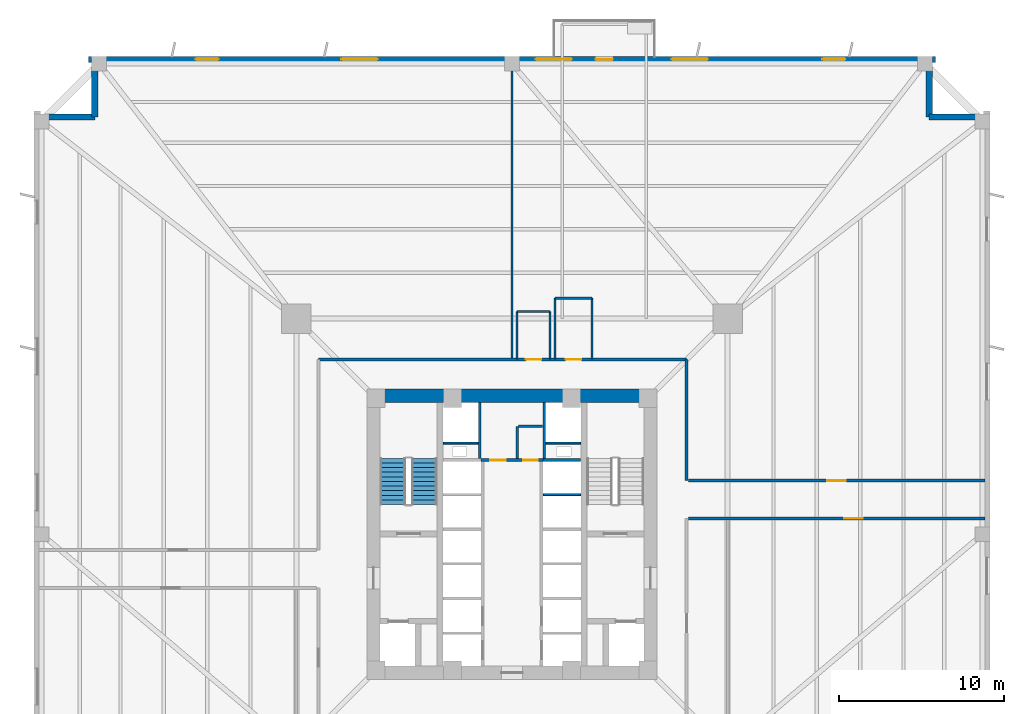
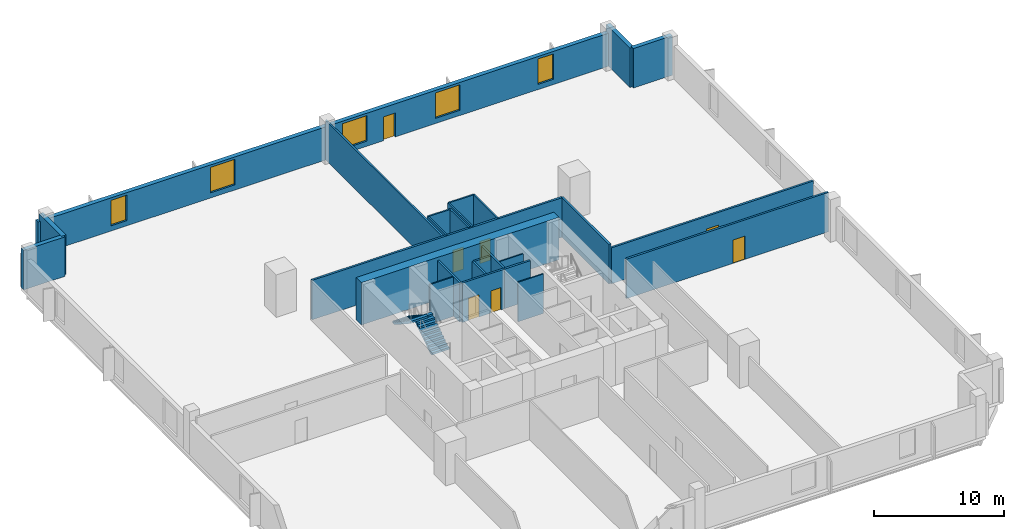
# One storey, part 4 of 8: 26 walls, 7 doors, 5 windows, 2 stair flights, 12 openings, 1 element without a shape of its own.
"""IFC4 building model written with IfcOpenShell, lengths in metres."""

from ifc_helpers import new_model, si_unit, direction, frame, frame_2d, origin, place, context, subcontext, project, spatial, polyline, rectangle, outline, extrude, source, transform, mapped, material, layer, layer_set, type_object, element, fill, aggregate, save


model = new_model("IFC4")

# Units and contexts
model_context = context("Model", 3, precision=1e-05, world=origin(), true_north=direction((0.0, 1.0)))
body_context = subcontext(model_context, "Body", "Model", "MODEL_VIEW")
ifc_project = project(units=[si_unit("LENGTHUNIT", "METRE"), si_unit("AREAUNIT", "SQUARE_METRE"), si_unit("VOLUMEUNIT", "CUBIC_METRE"), si_unit("PLANEANGLEUNIT", "RADIAN"), si_unit("MASSUNIT", "GRAM", prefix="KILO"), si_unit("THERMODYNAMICTEMPERATUREUNIT", "KELVIN")], contexts=[model_context])

# Site, building, storey
site_placement = place(None, origin())
site = spatial("IfcSite", under=ifc_project, at=site_placement, CompositionType="ELEMENT")
building_placement = place(site_placement, origin())
building = spatial("IfcBuilding", under=site, at=building_placement, Name="Kosmvard Interchange Tower", CompositionType="ELEMENT")
storey_placement = place(building_placement, frame((0.0, 0.0, 54.0)))
storey = spatial("IfcBuildingStorey", under=building, at=storey_placement, Name="L12", CompositionType="ELEMENT", Elevation=54.0)

# Walls
ifc_material_1 = material(Name="Acoustic gypsum partition system")
ifc_layer_1 = layer(ifc_material_1, 0.14990234375, Name="Acoustic gypsum partition system")
ifc_layer_set_1 = layer_set([ifc_layer_1], Name="Acoustic gypsum partition system")
wall_type_1 = type_object("IfcWallType", Name="Acoustic Suite & Meeting Partition 150", PredefinedType="PARTITIONING", material=ifc_layer_set_1)
wall_1_placement = place(storey_placement, frame((0.0, 10.695068359375, 0.0), z_axis=(0.0, 0.0, 1.0), x_axis=(0.0, 1.0, 0.0)))
element("IfcWall", 1, at=wall_1_placement, inside=storey, type_object=wall_type_1, Name="L12 Room Partition 01.1", PredefinedType="PARTITIONING", context=body_context, shape_type="SweptSolid", body=[
    extrude(rectangle(XDim=17.989990234375, YDim=0.14990234375, at=frame_2d((8.9951171875, 0.0))), origin(), (0.0, 0.0, 1.0), 3.719970703125),
])
ifc_material_2 = material(Name="Fire-rated gypsum partition system")
ifc_layer_2 = layer(ifc_material_2, 0.159912109375, Name="Fire-rated gypsum partition system")
ifc_layer_set_2 = layer_set([ifc_layer_2], Name="Fire-rated gypsum partition system")
wall_type_2 = type_object("IfcWallType", Name="Core Compartment & Shuttle Lobby Partition 160", PredefinedType="PARTITIONING", material=ifc_layer_set_2)
for number, where, z_axis, x_axis, name in (
    (2, (-1.9599609375, 4.580078125, 0.0), (0.0, 0.0, 1.0), (0.0, 1.0, 0.0), "L12 North Core West Wall"),
    (3, (1.9599609375, 4.580078125, 0.0), (0.0, 0.0, 1.0), (0.0, 1.0, 0.0), "L12 North Core East Wall"),
):
    element("IfcWall", number, at=place(storey_placement, frame(where, z_axis=z_axis, x_axis=x_axis)), inside=storey, type_object=wall_type_2, Name=name, PredefinedType="PARTITIONING", context=body_context, shape_type="SweptSolid", body=[
        extrude(rectangle(XDim=3.39990234375, YDim=0.159912109375, at=frame_2d((1.699951171875, 0.0))), origin(), (0.0, 0.0, 1.0), 3.719970703125),
    ])
ifc_material_3 = material(Name="Concrete blockwork masonry", Category="masonry")
ifc_layer_3 = layer(ifc_material_3, 0.159912109375, Name="Concrete blockwork masonry")
ifc_layer_set_3 = layer_set([ifc_layer_3], Name="Concrete blockwork masonry")
wall_type_3 = type_object("IfcWallType", Name="Core Enclosure Split Wall 160", PredefinedType="PARTITIONING", material=ifc_layer_set_3)
wall_2_placement = place(storey_placement, frame((0.320068359375, 4.60009765625, 0.0), z_axis=(0.0, 0.0, 1.0), x_axis=(0.0, 1.0, 0.0)))
element("IfcWall", 4, at=wall_2_placement, inside=storey, type_object=wall_type_3, Name="L12 Core K3 L-Wall 1", PredefinedType="PARTITIONING", context=body_context, shape_type="SweptSolid", body=[
    extrude(rectangle(XDim=1.949951171875, YDim=0.159912109375, at=frame_2d((0.97509765625, 0.0))), origin(), (0.0, 0.0, 1.0), 3.719970703125),
])
wall_3_placement = place(storey_placement, frame((0.39990234375, 6.550048828125, 0.0), z_axis=(0.0, 0.0, 1.0), x_axis=(1.0, 0.0, 0.0)))
element("IfcWall", 5, at=wall_3_placement, inside=storey, type_object=wall_type_3, Name="L12 Core K3 L-Wall 2", PredefinedType="PARTITIONING", context=body_context, shape_type="SweptSolid", body=[
    extrude(rectangle(XDim=1.460205078125, YDim=0.159912109375, at=frame_2d((0.72998046875, 0.0))), origin(), (0.0, 0.0, 1.0), 3.719970703125),
])

# Wall, openings, doors
ifc_layer_4 = layer(ifc_material_2, 0.179931640625, Name="Fire-rated gypsum partition system")
ifc_layer_set_4 = layer_set([ifc_layer_4], Name="Fire-rated gypsum partition system")
wall_type_4 = type_object("IfcWallType", Name="Corridor & Hotel Compartment Partition 180", PredefinedType="PARTITIONING", material=ifc_layer_set_4)
wall_4_placement = place(storey_placement, frame((-1.8798828125, 4.489990234375, 0.0), z_axis=(0.0, 0.0, 1.0), x_axis=(1.0, 0.0, 0.0)))
wall_4 = element("IfcWall", 6, at=wall_4_placement, inside=storey, type_object=wall_type_4, Name="L12 Lift Lobby North Partition", PredefinedType="PARTITIONING", context=body_context, shape_type="SweptSolid", body=[
    extrude(rectangle(XDim=3.759765625, YDim=0.179931640625, at=frame_2d((1.8798828125, 0.0))), origin(), (0.0, 0.0, 1.0), 3.719970703125),
])
opening_1_placement = place(wall_4_placement, frame((0.550048828125, 0.0, 0.0)))
opening_1 = element("IfcOpeningElement", 7, at=opening_1_placement, cuts=wall_4, Name="Opening L12-KD1", PredefinedType="OPENING", context=body_context, shape_type="SweptSolid", body=[
    extrude(rectangle(XDim=0.949951171875, YDim=2.10009765625, at=frame_2d((0.47509765625, 1.050048828125))), frame((0.0, 0.10009765625, 0.0), z_axis=(0.0, -1.0, 0.0), x_axis=(1.0, 0.0, 0.0)), (0.0, 0.0, 1.0), 0.199951171875),
])
opening_2_placement = place(wall_4_placement, frame((2.56005859375, 0.0, 0.0)))
opening_2 = element("IfcOpeningElement", 8, at=opening_2_placement, cuts=wall_4, Name="Opening L12-KD2", PredefinedType="OPENING", context=body_context, shape_type="SweptSolid", body=[
    extrude(rectangle(XDim=0.8798828125, YDim=2.10009765625, at=frame_2d((0.43994140625, 1.050048828125))), frame((0.0, 0.10009765625, 0.0), z_axis=(0.0, -1.0, 0.0), x_axis=(1.0, 0.0, 0.0)), (0.0, 0.0, 1.0), 0.199951171875),
])
ifc_material_4 = material(Name="Painted fire-rated timber leaf", Category="wood")
door_type_1 = type_object("IfcDoorType", Name="Core Service Fire Door 950x2100 EI30", OperationType="NOTDEFINED", PredefinedType="DOOR", material=ifc_material_4)
shared_shape_1 = source(origin(), body_context, "Body", "SweptSolid", [
    extrude(rectangle(XDim=0.949951171875, YDim=2.10009765625, at=frame_2d((0.47509765625, 1.050048828125))), frame((0.0, 0.02490234375, 0.0), z_axis=(0.0, -1.0, 0.0), x_axis=(1.0, 0.0, 0.0)), (0.0, 0.0, 1.0), 0.050048828125),
])
door_1_placement = place(opening_1_placement, origin())
door_1 = element("IfcDoor", 9, at=door_1_placement, inside=storey, type_object=door_type_1, Name="L12 Core Archive Store Door", OperationType="SINGLE_SWING_LEFT", OverallHeight=2.10009765625, OverallWidth=0.949951171875, PredefinedType="DOOR", context=body_context, shape_type="MappedRepresentation", body=[
    mapped(shared_shape_1, transform((0.0, 0.0, 0.0), scale=1.0)),
])
fill(opening_1, door_1)
door_type_2 = type_object("IfcDoorType", Name="Core Cupboard Fire Door 880x2100 EI30", OperationType="NOTDEFINED", PredefinedType="DOOR", material=ifc_material_4)
shared_shape_2 = source(origin(), body_context, "Body", "SweptSolid", [
    extrude(rectangle(XDim=0.8798828125, YDim=2.10009765625, at=frame_2d((0.43994140625, 1.050048828125))), frame((0.0, 0.02490234375, 0.0), z_axis=(0.0, -1.0, 0.0), x_axis=(1.0, 0.0, 0.0)), (0.0, 0.0, 1.0), 0.050048828125),
])
door_2_placement = place(opening_2_placement, origin())
door_2 = element("IfcDoor", 10, at=door_2_placement, inside=storey, type_object=door_type_2, Name="L12 Core Supplies Cupboard Door", OperationType="SINGLE_SWING_RIGHT", OverallHeight=2.10009765625, OverallWidth=0.8798828125, PredefinedType="DOOR", context=body_context, shape_type="MappedRepresentation", body=[
    mapped(shared_shape_2, transform((0.0, 0.0, 0.0), scale=1.0)),
])
fill(opening_2, door_2)

wall_5_placement = place(storey_placement, frame((-11.75, 10.60009765625, 0.0), z_axis=(0.0, 0.0, 1.0), x_axis=(1.0, 0.0, 0.0)))
wall_5 = element("IfcWall", 11, at=wall_5_placement, inside=storey, type_object=wall_type_4, Name="L12 Corridor Wall CN", PredefinedType="PARTITIONING", context=body_context, shape_type="SweptSolid", body=[
    extrude(rectangle(XDim=22.35009765625, YDim=0.179931640625, at=frame_2d((11.175048828125, 0.0))), origin(), (0.0, 0.0, 1.0), 3.719970703125),
])
opening_3_placement = place(wall_5_placement, frame((12.586181640625, 0.0, 0.0)))
opening_3 = element("IfcOpeningElement", 12, at=opening_3_placement, cuts=wall_5, Name="Opening L12-D01", PredefinedType="OPENING", context=body_context, shape_type="SweptSolid", body=[
    extrude(rectangle(XDim=0.949951171875, YDim=2.10009765625, at=frame_2d((0.47509765625, 1.050048828125))), frame((0.0, 0.10009765625, 0.0), z_axis=(0.0, -1.0, 0.0), x_axis=(1.0, 0.0, 0.0)), (0.0, 0.0, 1.0), 0.199951171875),
])
opening_4_placement = place(wall_5_placement, frame((15.01025390625, 0.0, 0.0)))
opening_4 = element("IfcOpeningElement", 13, at=opening_4_placement, cuts=wall_5, Name="Opening L12-D02", PredefinedType="OPENING", context=body_context, shape_type="SweptSolid", body=[
    extrude(rectangle(XDim=0.949951171875, YDim=2.10009765625, at=frame_2d((0.47509765625, 1.050048828125))), frame((0.0, 0.10009765625, 0.0), z_axis=(0.0, -1.0, 0.0), x_axis=(1.0, 0.0, 0.0)), (0.0, 0.0, 1.0), 0.199951171875),
])
ifc_material_5 = material(Name="Laminated moisture-resistant timber", Category="wood")
door_type_3 = type_object("IfcDoorType", Name="Accessible Washroom Door 950x2100", OperationType="NOTDEFINED", PredefinedType="DOOR", material=ifc_material_5)
door_3_placement = place(opening_3_placement, origin())
door_3 = element("IfcDoor", 14, at=door_3_placement, inside=storey, type_object=door_type_3, Name="L12 Accessible Toilet Door", OperationType="SINGLE_SWING_LEFT", OverallHeight=2.10009765625, OverallWidth=0.949951171875, PredefinedType="DOOR", context=body_context, shape_type="MappedRepresentation", body=[
    mapped(shared_shape_1, transform((0.0, 0.0, 0.0), scale=1.0)),
])
fill(opening_3, door_3)
door_4_placement = place(opening_4_placement, origin())
door_4 = element("IfcDoor", 15, at=door_4_placement, inside=storey, type_object=door_type_3, Name="L12 Public Floor Washroom Door", OperationType="SINGLE_SWING_RIGHT", OverallHeight=2.10009765625, OverallWidth=0.949951171875, PredefinedType="DOOR", context=body_context, shape_type="MappedRepresentation", body=[
    mapped(shared_shape_1, transform((0.0, 0.0, 0.0), scale=1.0)),
])
fill(opening_4, door_4)

# Wall
wall_6_placement = place(storey_placement, frame((10.60009765625, 3.25, 0.0), z_axis=(0.0, 0.0, 1.0), x_axis=(0.0, 1.0, 0.0)))
element("IfcWall", 16, at=wall_6_placement, inside=storey, type_object=wall_type_4, Name="L12 Corridor Wall CEN", PredefinedType="PARTITIONING", context=body_context, shape_type="SweptSolid", body=[
    extrude(rectangle(XDim=7.35009765625, YDim=0.179931640625, at=frame_2d((3.675048828125, 0.0))), origin(), (0.0, 0.0, 1.0), 3.719970703125),
])

# Wall, opening, door
wall_7_placement = place(storey_placement, frame((10.699951171875, 0.949951171875, 0.0), z_axis=(0.0, 0.0, 1.0), x_axis=(1.0, 0.0, 0.0)))
wall_7 = element("IfcWall", 17, at=wall_7_placement, inside=storey, type_object=wall_type_4, Name="L12 Corridor Wall SES", PredefinedType="PARTITIONING", context=body_context, shape_type="SweptSolid", body=[
    extrude(rectangle(XDim=17.985107421875, YDim=0.179931640625, at=frame_2d((8.99267578125, 0.0))), origin(), (0.0, 0.0, 1.0), 3.719970703125),
])
opening_5_placement = place(wall_7_placement, frame((9.468505859375, 0.0, 0.0)))
opening_5 = element("IfcOpeningElement", 18, at=opening_5_placement, cuts=wall_7, Name="Opening L12-D07", PredefinedType="OPENING", context=body_context, shape_type="SweptSolid", body=[
    extrude(rectangle(XDim=1.10009765625, YDim=2.199951171875, at=frame_2d((0.550048828125, 1.10009765625))), frame((0.0, 0.10009765625, 0.0), z_axis=(0.0, -1.0, 0.0), x_axis=(1.0, 0.0, 0.0)), (0.0, 0.0, 1.0), 0.199951171875),
])
ifc_material_6 = material(Name="Engineered oak fire-rated timber", Category="wood")
door_type_4 = type_object("IfcDoorType", Name="Office Suite Entrance Door 1100x2200 FD30S", OperationType="NOTDEFINED", PredefinedType="DOOR", material=ifc_material_6)
shared_shape_3 = source(origin(), body_context, "Body", "SweptSolid", [
    extrude(rectangle(XDim=1.10009765625, YDim=2.199951171875, at=frame_2d((0.550048828125, 1.10009765625))), frame((0.0, 0.02490234375, 0.0), z_axis=(0.0, -1.0, 0.0), x_axis=(1.0, 0.0, 0.0)), (0.0, 0.0, 1.0), 0.050048828125),
])
door_5_placement = place(opening_5_placement, frame((1.10009765625, 0.0, 0.0), z_axis=(0.0, 0.0, 1.0), x_axis=(-1.0, 0.0, 0.0)))
door_5 = element("IfcDoor", 19, at=door_5_placement, inside=storey, type_object=door_type_4, Name="L12 East Open Engineering Studio Door", OperationType="SINGLE_SWING_LEFT", OverallHeight=2.199951171875, OverallWidth=1.10009765625, PredefinedType="DOOR", context=body_context, shape_type="MappedRepresentation", body=[
    mapped(shared_shape_3, transform((0.0, 0.0, 0.0), scale=1.0)),
])
fill(opening_5, door_5)

wall_8_placement = place(storey_placement, frame((10.699951171875, 3.25, 0.0), z_axis=(0.0, 0.0, 1.0), x_axis=(1.0, 0.0, 0.0)))
wall_8 = element("IfcWall", 20, at=wall_8_placement, inside=storey, type_object=wall_type_4, Name="L12 Corridor Wall SEN", PredefinedType="PARTITIONING", context=body_context, shape_type="SweptSolid", body=[
    extrude(rectangle(XDim=17.985107421875, YDim=0.179931640625, at=frame_2d((8.99267578125, 0.0))), origin(), (0.0, 0.0, 1.0), 3.389892578125),
])
opening_6_placement = place(wall_8_placement, frame((8.4423828125, 0.0, 0.0)))
opening_6 = element("IfcOpeningElement", 21, at=opening_6_placement, cuts=wall_8, Name="Opening L12-D04", PredefinedType="OPENING", context=body_context, shape_type="SweptSolid", body=[
    extrude(rectangle(XDim=1.10009765625, YDim=2.199951171875, at=frame_2d((0.550048828125, 1.10009765625))), frame((0.0, 0.10009765625, 0.0), z_axis=(0.0, -1.0, 0.0), x_axis=(1.0, 0.0, 0.0)), (0.0, 0.0, 1.0), 0.199951171875),
])
door_6_placement = place(opening_6_placement, origin())
door_6 = element("IfcDoor", 22, at=door_6_placement, inside=storey, type_object=door_type_4, Name="L12 Transit Briefing Auditorium Door", OperationType="SINGLE_SWING_RIGHT", OverallHeight=2.199951171875, OverallWidth=1.10009765625, PredefinedType="DOOR", context=body_context, shape_type="MappedRepresentation", body=[
    mapped(shared_shape_3, transform((0.0, 0.0, 0.0), scale=1.0)),
])
fill(opening_6, door_6)

# Walls
ifc_material_7 = material(Name="Concrete C80/95", Category="concrete")
ifc_layer_5 = layer(ifc_material_7, 0.800048828125, Name="Concrete C80/95")
ifc_layer_set_5 = layer_set([ifc_layer_5], Name="Concrete C80/95")
wall_type_5 = type_object("IfcWallType", Name="Lower Core Shear Wall 800 C80/95", PredefinedType="SHEAR", material=ifc_layer_set_5)
wall_9_placement = place(storey_placement, frame((-8.800048828125, 8.39990234375, 0.0), z_axis=(0.0, 0.0, 1.0), x_axis=(1.0, 0.0, 0.0)))
element("IfcWall", 23, at=wall_9_placement, inside=storey, type_object=wall_type_5, Name="L12 Core Shear Wall CW-N", PredefinedType="SHEAR", context=body_context, shape_type="SweptSolid", body=[
    extrude(rectangle(XDim=17.60009765625, YDim=0.800048828125, at=frame_2d((8.800048828125, 0.0))), origin(), (0.0, 0.0, 1.0), 4.0),
])
ifc_material_8 = material(Name="Precast concrete C45/55", Category="concrete")
ifc_layer_6 = layer(ifc_material_8, 0.3798828125, Name="Precast concrete C45/55")
ifc_layer_set_6 = layer_set([ifc_layer_6], Name="Precast concrete C45/55")
wall_type_6 = type_object("IfcWallType", Name="Lower Tower Precast Pier Wall 380 C45/55", PredefinedType="STANDARD", material=ifc_layer_set_6)
wall_10_placement = place(storey_placement, frame((28.81005859375, 25.31005859375, 0.0), z_axis=(0.0, 0.0, 1.0), x_axis=(-1.0, 0.0, 0.0)))
element("IfcWall", 24, at=wall_10_placement, inside=storey, type_object=wall_type_6, Name="L12 Precast Facade Wall N-NE1", PredefinedType="STANDARD", context=body_context, shape_type="SweptSolid", body=[
    extrude(rectangle(XDim=3.5, YDim=0.3798828125, at=frame_2d((1.75, 0.0))), origin(), (0.0, 0.0, 1.0), 3.719970703125),
])
wall_11_placement = place(storey_placement, frame((25.31005859375, 25.31005859375, 0.0), z_axis=(0.0, 0.0, 1.0), x_axis=(0.0, 1.0, 0.0)))
element("IfcWall", 25, at=wall_11_placement, inside=storey, type_object=wall_type_6, Name="L12 Precast Facade Wall N-NE2", PredefinedType="STANDARD", context=body_context, shape_type="SweptSolid", body=[
    extrude(rectangle(XDim=3.68994140625, YDim=0.3798828125, at=frame_2d((1.844970703125, 0.0))), origin(), (0.0, 0.0, 1.0), 3.719970703125),
])

# Wall, openings, door, windows
wall_12_placement = place(storey_placement, frame((25.68994140625, 28.81005859375, 0.0), z_axis=(0.0, 0.0, 1.0), x_axis=(-1.0, 0.0, 0.0)))
wall_12 = element("IfcWall", 26, at=wall_12_placement, inside=storey, type_object=wall_type_6, Name="L12 Precast Facade Wall F-N", PredefinedType="STANDARD", context=body_context, shape_type="SweptSolid", body=[
    extrude(rectangle(XDim=51.3798828125, YDim=0.3798828125, at=frame_2d((25.68994140625, 0.0))), origin(), (0.0, 0.0, 1.0), 3.1201171875),
])
opening_7_placement = place(wall_12_placement, frame((19.56494140625, 0.0, 0.0)))
opening_7 = element("IfcOpeningElement", 27, at=opening_7_placement, cuts=wall_12, Name="Opening L12-BDN", PredefinedType="OPENING", context=body_context, shape_type="SweptSolid", body=[
    extrude(rectangle(XDim=1.050048828125, YDim=2.25, at=frame_2d((0.52490234375, 1.125))), frame((0.0, 0.199951171875, 0.0), z_axis=(0.0, -1.0, 0.0), x_axis=(1.0, 0.0, 0.0)), (0.0, 0.0, 1.0), 0.39990234375),
])
opening_8_placement = place(wall_12_placement, frame((5.465576171875, 0.0, 0.489990234375)))
opening_8 = element("IfcOpeningElement", 28, at=opening_8_placement, cuts=wall_12, Name="Opening L12-W11", PredefinedType="OPENING", context=body_context, shape_type="SweptSolid", body=[
    extrude(rectangle(XDim=1.39990234375, YDim=2.39990234375, at=frame_2d((0.699951171875, 1.199951171875))), frame((0.0, 0.199951171875, 0.0), z_axis=(0.0, -1.0, 0.0), x_axis=(1.0, 0.0, 0.0)), (0.0, 0.0, 1.0), 0.39990234375),
])
opening_9_placement = place(wall_12_placement, frame((13.80029296875, 0.0, 0.489990234375)))
opening_9 = element("IfcOpeningElement", 29, at=opening_9_placement, cuts=wall_12, Name="Opening L12-W12", PredefinedType="OPENING", context=body_context, shape_type="SweptSolid", body=[
    extrude(rectangle(XDim=2.199951171875, YDim=2.39990234375, at=frame_2d((1.10009765625, 1.199951171875))), frame((0.0, 0.199951171875, 0.0), z_axis=(0.0, -1.0, 0.0), x_axis=(1.0, 0.0, 0.0)), (0.0, 0.0, 1.0), 0.39990234375),
])
opening_10_placement = place(wall_12_placement, frame((22.0625, 0.0, 0.489990234375)))
opening_10 = element("IfcOpeningElement", 30, at=opening_10_placement, cuts=wall_12, Name="Opening L12-W13", PredefinedType="OPENING", context=body_context, shape_type="SweptSolid", body=[
    extrude(rectangle(XDim=2.199951171875, YDim=2.39990234375, at=frame_2d((1.10009765625, 1.199951171875))), frame((0.0, 0.199951171875, 0.0), z_axis=(0.0, -1.0, 0.0), x_axis=(1.0, 0.0, 0.0)), (0.0, 0.0, 1.0), 0.39990234375),
])
opening_11_placement = place(wall_12_placement, frame((33.83837890625, 0.0, 0.489990234375)))
opening_11 = element("IfcOpeningElement", 31, at=opening_11_placement, cuts=wall_12, Name="Opening L12-W14", PredefinedType="OPENING", context=body_context, shape_type="SweptSolid", body=[
    extrude(rectangle(XDim=2.199951171875, YDim=2.39990234375, at=frame_2d((1.10009765625, 1.199951171875))), frame((0.0, 0.199951171875, 0.0), z_axis=(0.0, -1.0, 0.0), x_axis=(1.0, 0.0, 0.0)), (0.0, 0.0, 1.0), 0.39990234375),
])
opening_12_placement = place(wall_12_placement, frame((43.48681640625, 0.0, 0.489990234375)))
opening_12 = element("IfcOpeningElement", 32, at=opening_12_placement, cuts=wall_12, Name="Opening L12-W15", PredefinedType="OPENING", context=body_context, shape_type="SweptSolid", body=[
    extrude(rectangle(XDim=1.39990234375, YDim=2.39990234375, at=frame_2d((0.699951171875, 1.199951171875))), frame((0.0, 0.199951171875, 0.0), z_axis=(0.0, -1.0, 0.0), x_axis=(1.0, 0.0, 0.0)), (0.0, 0.0, 1.0), 0.39990234375),
])
ifc_material_9 = material(Name="Anodised aluminium and safety glass", Category="aluminium")
door_type_5 = type_object("IfcDoorType", Name="Tree-Balcony Glazed Door 1050x2250", OperationType="NOTDEFINED", PredefinedType="DOOR", material=ifc_material_9)
shared_shape_4 = source(origin(), body_context, "Body", "SweptSolid", [
    extrude(rectangle(XDim=1.050048828125, YDim=2.25, at=frame_2d((0.52490234375, 1.125))), frame((0.0, 0.02490234375, 0.0), z_axis=(0.0, -1.0, 0.0), x_axis=(1.0, 0.0, 0.0)), (0.0, 0.0, 1.0), 0.050048828125),
])
door_7_placement = place(opening_7_placement, origin())
door_7 = element("IfcDoor", 33, at=door_7_placement, inside=storey, type_object=door_type_5, Name="L12 Tree-Balcony Door BAL-L12-N", OperationType="SINGLE_SWING_LEFT", OverallHeight=2.25, OverallWidth=1.050048828125, PredefinedType="DOOR", context=body_context, shape_type="MappedRepresentation", body=[
    mapped(shared_shape_4, transform((0.0, 0.0, 0.0), scale=1.0)),
])
fill(opening_7, door_7)
ifc_material_10 = material(Name="Low-E solar-control double glazing", Category="glass")
window_type_1 = type_object("IfcWindowType", Name="Notched Corner Feature Window 1400x2400", PartitioningType="SINGLE_PANEL", PredefinedType="WINDOW", material=ifc_material_10)
shared_shape_5 = source(origin(), body_context, "Body", "SweptSolid", [
    extrude(rectangle(XDim=1.39990234375, YDim=2.39990234375, at=frame_2d((0.699951171875, 1.199951171875))), frame((0.0, 0.030029296875, 0.0), z_axis=(0.0, -1.0, 0.0), x_axis=(1.0, 0.0, 0.0)), (0.0, 0.0, 1.0), 0.06005859375),
])
window_1_placement = place(opening_8_placement, origin())
window_1 = element("IfcWindow", 34, at=window_1_placement, inside=storey, type_object=window_type_1, Name="L12 Facade Punched Window 11", OverallHeight=2.39990234375, OverallWidth=1.39990234375, PartitioningType="SINGLE_PANEL", PredefinedType="WINDOW", context=body_context, shape_type="MappedRepresentation", body=[
    mapped(shared_shape_5, transform((0.0, 0.0, 0.0), scale=1.0)),
])
fill(opening_8, window_1)
window_2_placement = place(opening_12_placement, origin())
window_2 = element("IfcWindow", 35, at=window_2_placement, inside=storey, type_object=window_type_1, Name="L12 Facade Punched Window 15", OverallHeight=2.39990234375, OverallWidth=1.39990234375, PartitioningType="SINGLE_PANEL", PredefinedType="WINDOW", context=body_context, shape_type="MappedRepresentation", body=[
    mapped(shared_shape_5, transform((0.0, 0.0, 0.0), scale=1.0)),
])
fill(opening_12, window_2)
window_type_2 = type_object("IfcWindowType", Name="Zone 1 Office Punched Window 2200x2400", PartitioningType="SINGLE_PANEL", PredefinedType="WINDOW", material=ifc_material_10)
shared_shape_6 = source(origin(), body_context, "Body", "SweptSolid", [
    extrude(rectangle(XDim=2.199951171875, YDim=2.39990234375, at=frame_2d((1.10009765625, 1.199951171875))), frame((0.0, 0.030029296875, 0.0), z_axis=(0.0, -1.0, 0.0), x_axis=(1.0, 0.0, 0.0)), (0.0, 0.0, 1.0), 0.06005859375),
])
window_3_placement = place(opening_9_placement, origin())
window_3 = element("IfcWindow", 36, at=window_3_placement, inside=storey, type_object=window_type_2, Name="L12 Facade Punched Window 12", OverallHeight=2.39990234375, OverallWidth=2.199951171875, PartitioningType="SINGLE_PANEL", PredefinedType="WINDOW", context=body_context, shape_type="MappedRepresentation", body=[
    mapped(shared_shape_6, transform((0.0, 0.0, 0.0), scale=1.0)),
])
fill(opening_9, window_3)
window_4_placement = place(opening_10_placement, origin())
window_4 = element("IfcWindow", 37, at=window_4_placement, inside=storey, type_object=window_type_2, Name="L12 Facade Punched Window 13", OverallHeight=2.39990234375, OverallWidth=2.199951171875, PartitioningType="SINGLE_PANEL", PredefinedType="WINDOW", context=body_context, shape_type="MappedRepresentation", body=[
    mapped(shared_shape_6, transform((0.0, 0.0, 0.0), scale=1.0)),
])
fill(opening_10, window_4)
window_5_placement = place(opening_11_placement, origin())
window_5 = element("IfcWindow", 38, at=window_5_placement, inside=storey, type_object=window_type_2, Name="L12 Facade Punched Window 14", OverallHeight=2.39990234375, OverallWidth=2.199951171875, PartitioningType="SINGLE_PANEL", PredefinedType="WINDOW", context=body_context, shape_type="MappedRepresentation", body=[
    mapped(shared_shape_6, transform((0.0, 0.0, 0.0), scale=1.0)),
])
fill(opening_11, window_5)

# Walls
wall_13_placement = place(storey_placement, frame((-25.31005859375, 28.81005859375, 0.0), z_axis=(0.0, 0.0, 1.0), x_axis=(0.0, -1.0, 0.0)))
element("IfcWall", 39, at=wall_13_placement, inside=storey, type_object=wall_type_6, Name="L12 Precast Facade Wall N-NW1", PredefinedType="STANDARD", context=body_context, shape_type="SweptSolid", body=[
    extrude(rectangle(XDim=3.5, YDim=0.3798828125, at=frame_2d((1.75, 0.0))), origin(), (0.0, 0.0, 1.0), 3.719970703125),
])
wall_14_placement = place(storey_placement, frame((-25.31005859375, 25.31005859375, 0.0), z_axis=(0.0, 0.0, 1.0), x_axis=(-1.0, 0.0, 0.0)))
element("IfcWall", 40, at=wall_14_placement, inside=storey, type_object=wall_type_6, Name="L12 Precast Facade Wall N-NW2", PredefinedType="STANDARD", context=body_context, shape_type="SweptSolid", body=[
    extrude(rectangle(XDim=3.68994140625, YDim=0.3798828125, at=frame_2d((1.844970703125, 0.0))), origin(), (0.0, 0.0, 1.0), 3.719970703125),
])
ifc_layer_7 = layer(ifc_material_3, 0.179931640625, Name="Concrete blockwork masonry")
ifc_layer_set_7 = layer_set([ifc_layer_7], Name="Concrete blockwork masonry")
wall_type_7 = type_object("IfcWallType", Name="Riser & Lift Bank Divider Wall 180", PredefinedType="PARTITIONING", material=ifc_layer_set_7)
wall_15_placement = place(storey_placement, frame((1.889892578125, 4.489990234375, 0.0), z_axis=(0.0, 0.0, 1.0), x_axis=(1.0, 0.0, 0.0)))
element("IfcWall", 41, at=wall_15_placement, inside=storey, type_object=wall_type_7, Name="L12 East Bank Divider BD3", PredefinedType="PARTITIONING", context=body_context, shape_type="SweptSolid", body=[
    extrude(rectangle(XDim=2.280029296875, YDim=0.179931640625, at=frame_2d((1.14013671875, 0.0))), origin(), (0.0, 0.0, 1.0), 3.719970703125),
])
ifc_material_11 = material(Name="Fire-rated gypsum shaftwall system")
ifc_layer_8 = layer(ifc_material_11, 0.1201171875, Name="Fire-rated gypsum shaftwall system")
ifc_layer_set_8 = layer_set([ifc_layer_8], Name="Fire-rated gypsum shaftwall system")
wall_type_8 = type_object("IfcWallType", Name="Shaft & Riser Fire Partition 120 EI60", PredefinedType="PARTITIONING", material=ifc_layer_set_8)
wall_16_placement = place(storey_placement, frame((1.89990234375, 2.39990234375, 0.0), z_axis=(0.0, 0.0, 1.0), x_axis=(1.0, 0.0, 0.0)))
element("IfcWall", 42, at=wall_16_placement, inside=storey, type_object=wall_type_8, Name="L12 Shaft Divider PL-H3", PredefinedType="PARTITIONING", context=body_context, shape_type="SweptSolid", body=[
    extrude(rectangle(XDim=2.260009765625, YDim=0.1201171875, at=frame_2d((1.1298828125, 0.0))), origin(), (0.0, 0.0, 1.0), 3.719970703125),
])
for number, where, z_axis, x_axis, name in (
    (43, (-4.159912109375, 5.52001953125, 0.0), (0.0, 0.0, 1.0), (1.0, 0.0, 0.0), "L12 Riser Shaft Divider W"),
    (44, (2.06005859375, 5.52001953125, 0.0), (0.0, 0.0, 1.0), (1.0, 0.0, 0.0), "L12 Riser Shaft Divider E"),
):
    element("IfcWall", number, at=place(storey_placement, frame(where, z_axis=z_axis, x_axis=x_axis)), inside=storey, type_object=wall_type_8, Name=name, PredefinedType="PARTITIONING", context=body_context, shape_type="SweptSolid", body=[
        extrude(rectangle(XDim=2.099853515625, YDim=0.1201171875, at=frame_2d((1.0498046875, 0.0))), origin(), (0.0, 0.0, 1.0), 3.719970703125),
    ])
ifc_material_12 = material(Name="Moisture-resistant gypsum partition")
ifc_layer_9 = layer(ifc_material_12, 0.135009765625, Name="Moisture-resistant gypsum partition")
ifc_layer_set_9 = layer_set([ifc_layer_9], Name="Moisture-resistant gypsum partition")
wall_type_9 = type_object("IfcWallType", Name="Wet Room Moisture-Resistant Partition 135", PredefinedType="PARTITIONING", material=ifc_layer_set_9)
wall_17_placement = place(storey_placement, frame((2.31103515625, 10.6201171875, 0.0), z_axis=(0.0, 0.0, 1.0), x_axis=(0.0, 1.0, 0.0)))
element("IfcWall", 45, at=wall_17_placement, inside=storey, type_object=wall_type_9, Name="L12 Washroom Partition AWC1-E", PredefinedType="PARTITIONING", context=body_context, shape_type="SweptSolid", body=[
    extrude(rectangle(XDim=2.89990234375, YDim=0.135009765625, at=frame_2d((1.449951171875, 0.0))), origin(), (0.0, 0.0, 1.0), 3.719970703125),
])
wall_18_placement = place(storey_placement, frame((0.31103515625, 13.52001953125, 0.0), z_axis=(0.0, 0.0, 1.0), x_axis=(1.0, 0.0, 0.0)))
element("IfcWall", 46, at=wall_18_placement, inside=storey, type_object=wall_type_9, Name="L12 Washroom Partition AWC1-N", PredefinedType="PARTITIONING", context=body_context, shape_type="SweptSolid", body=[
    extrude(rectangle(XDim=2.0, YDim=0.135009765625, at=frame_2d((1.0, 0.0))), origin(), (0.0, 0.0, 1.0), 3.719970703125),
])
wall_19_placement = place(storey_placement, frame((0.31103515625, 10.6201171875, 0.0), z_axis=(0.0, 0.0, 1.0), x_axis=(0.0, 1.0, 0.0)))
element("IfcWall", 47, at=wall_19_placement, inside=storey, type_object=wall_type_9, Name="L12 Washroom Partition AWC1-W", PredefinedType="PARTITIONING", context=body_context, shape_type="SweptSolid", body=[
    extrude(rectangle(XDim=2.89990234375, YDim=0.135009765625, at=frame_2d((1.449951171875, 0.0))), origin(), (0.0, 0.0, 1.0), 3.719970703125),
])
wall_20_placement = place(storey_placement, frame((4.860107421875, 10.6201171875, 0.0), z_axis=(0.0, 0.0, 1.0), x_axis=(0.0, 1.0, 0.0)))
element("IfcWall", 48, at=wall_20_placement, inside=storey, type_object=wall_type_9, Name="L12 Washroom Partition WC1-E", PredefinedType="PARTITIONING", context=body_context, shape_type="SweptSolid", body=[
    extrude(rectangle(XDim=3.699951171875, YDim=0.135009765625, at=frame_2d((1.85009765625, 0.0))), origin(), (0.0, 0.0, 1.0), 3.719970703125),
])
wall_21_placement = place(storey_placement, frame((2.610107421875, 14.320068359375, 0.0), z_axis=(0.0, 0.0, 1.0), x_axis=(1.0, 0.0, 0.0)))
element("IfcWall", 49, at=wall_21_placement, inside=storey, type_object=wall_type_9, Name="L12 Washroom Partition WC1-N", PredefinedType="PARTITIONING", context=body_context, shape_type="SweptSolid", body=[
    extrude(rectangle(XDim=2.25, YDim=0.135009765625, at=frame_2d((1.125, 0.0))), origin(), (0.0, 0.0, 1.0), 3.719970703125),
])
wall_22_placement = place(storey_placement, frame((2.610107421875, 10.6201171875, 0.0), z_axis=(0.0, 0.0, 1.0), x_axis=(0.0, 1.0, 0.0)))
element("IfcWall", 50, at=wall_22_placement, inside=storey, type_object=wall_type_9, Name="L12 Washroom Partition WC1-W", PredefinedType="PARTITIONING", context=body_context, shape_type="SweptSolid", body=[
    extrude(rectangle(XDim=3.699951171875, YDim=0.135009765625, at=frame_2d((1.85009765625, 0.0))), origin(), (0.0, 0.0, 1.0), 3.719970703125),
])

# Stair, stair flights
ifc_material_13 = material(Name="Concrete C50/60", Category="concrete")
stair_type = type_object("IfcStairType", Name="Dog-Leg Core Exit Stair H4000 C50/60", PredefinedType="HALF_TURN_STAIR", material=ifc_material_13)
stair_placement = place(storey_placement, origin())
stair = element("IfcStair", 51, at=stair_placement, inside=storey, type_object=stair_type, Name="L12 Protected Exit Stair ST-1", PredefinedType="HALF_TURN_STAIR")
stair_flight_type = type_object("IfcStairFlightType", Name="Core Stair Flight W1550 H4000 C50/60", PredefinedType="STRAIGHT", material=ifc_material_13)
shared_shape_7 = source(origin(), body_context, "Body", "SweptSolid", [
    extrude(outline(polyline([(0.0, 0.0), (0.0, 0.181884765625), (0.280029296875, 0.181884765625), (0.280029296875, 0.363525390625), (0.56005859375, 0.363525390625), (0.56005859375, 0.54541015625), (0.840087890625, 0.54541015625), (0.840087890625, 0.727294921875), (1.1201171875, 0.727294921875), (1.1201171875, 0.9091796875), (1.39990234375, 0.9091796875), (1.39990234375, 1.0908203125), (1.679931640625, 1.0908203125), (1.679931640625, 1.272705078125), (1.9599609375, 1.272705078125), (1.9599609375, 1.45458984375), (2.239990234375, 1.45458984375), (2.239990234375, 1.636474609375), (2.52001953125, 1.636474609375), (2.52001953125, 1.818115234375), (2.800048828125, 1.818115234375), (2.800048828125, 2.0), (2.800048828125, 1.62744140625), (0.293701171875, 0.0), (0.0, 0.0)])), frame((0.0, 0.77490234375, 0.0), z_axis=(0.0, -1.0, 0.0), x_axis=(1.0, 0.0, 0.0)), (0.0, 0.0, 1.0), 1.550048828125),
])
stair_flight_1_placement = place(storey_placement, frame((-5.31494140625, 1.800048828125, 0.0), z_axis=(0.0, 0.0, 1.0), x_axis=(0.0, 1.0, 0.0)))
stair_flight_1 = element("IfcStairFlight", 52, at=stair_flight_1_placement, type_object=stair_flight_type, Name="ST-1 flight 1", NumberOfRisers=11, NumberOfTreads=10, PredefinedType="STRAIGHT", RiserHeight=0.181818182, TreadLength=0.28, context=body_context, shape_type="MappedRepresentation", body=[
    mapped(shared_shape_7, transform((0.0, 0.0, 0.0), scale=1.0)),
])
stair_flight_2_placement = place(storey_placement, frame((-7.22509765625, 4.60009765625, 2.0), z_axis=(0.0, 0.0, 1.0), x_axis=(0.0, -1.0, 0.0)))
stair_flight_2 = element("IfcStairFlight", 53, at=stair_flight_2_placement, type_object=stair_flight_type, Name="ST-1 flight 2", NumberOfRisers=11, NumberOfTreads=10, PredefinedType="STRAIGHT", RiserHeight=0.181818182, TreadLength=0.28, context=body_context, shape_type="MappedRepresentation", body=[
    mapped(shared_shape_7, transform((0.0, 0.0, 0.0), scale=1.0)),
])
aggregate(stair, [stair_flight_1, stair_flight_2])

save(model, "model.ifc")
